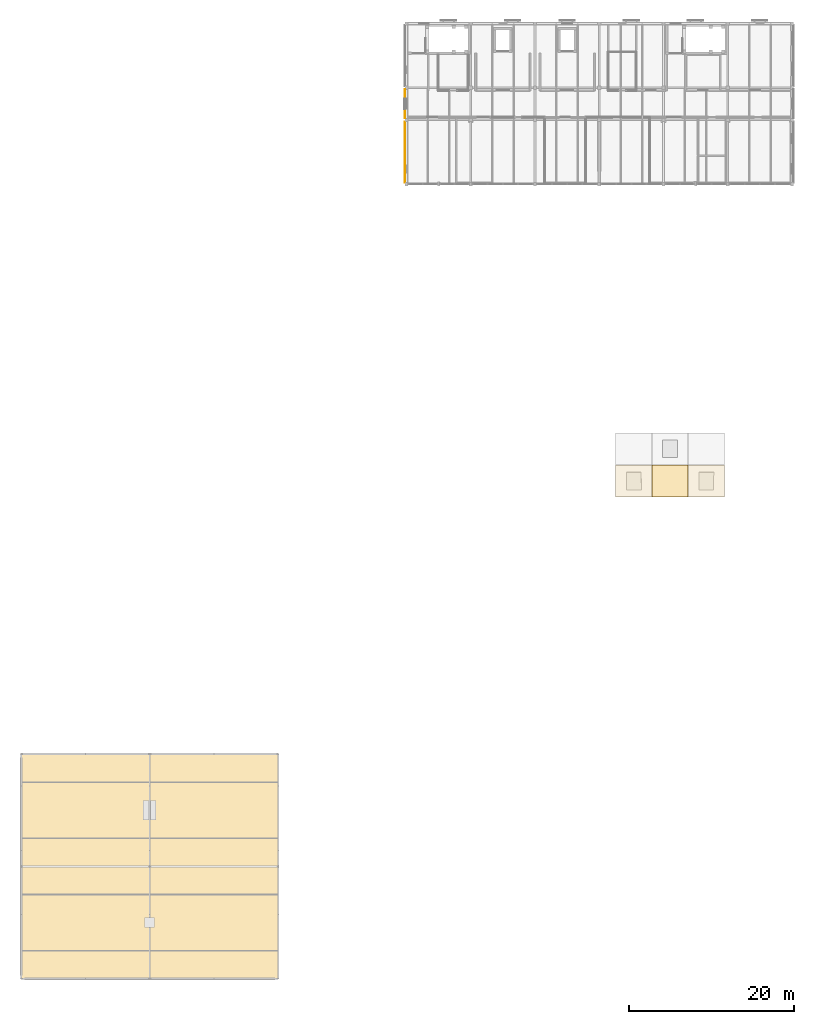
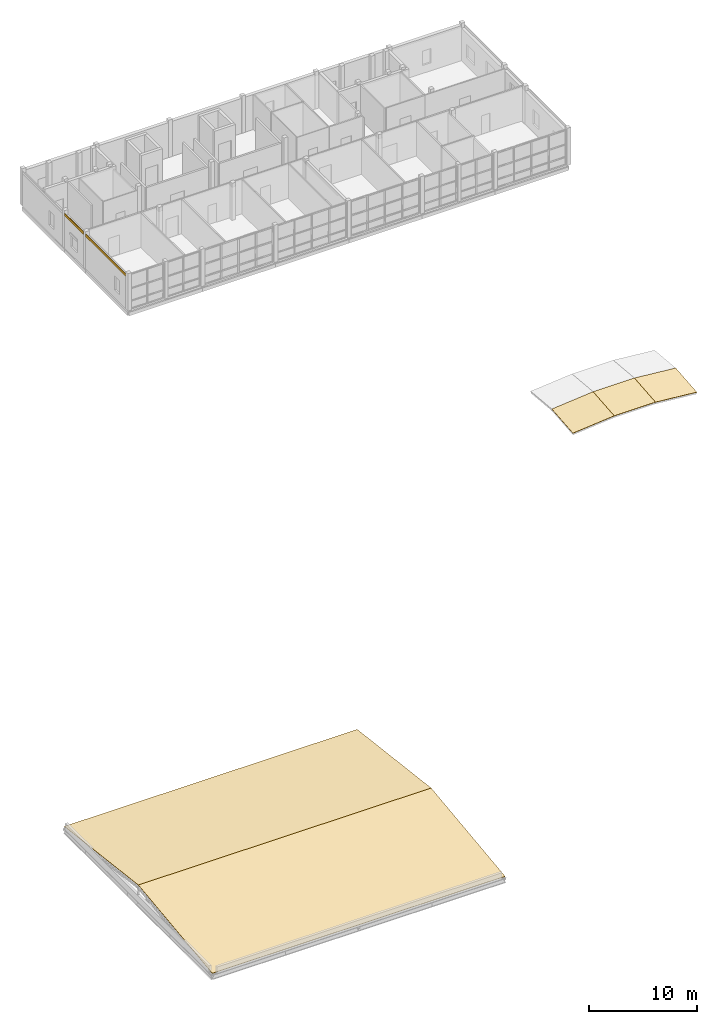
# One storey, part 20 of 21: 7 coverings.
"""IFC4 building model written with IfcOpenShell, lengths in metres."""

from ifc_helpers import new_model, si_unit, direction, frame, origin, origin_2d, place, context, subcontext, project, spatial, polyline, rectangle, outline, extrude, material, layer, layer_set, type_object, element, save


model = new_model("IFC4")

# Units and contexts
model_context = context("Model", 3, precision=1e-05, world=origin(), true_north=direction((0.0, 1.0)))
body_context = subcontext(model_context, "Body", "Model", "MODEL_VIEW")
ifc_project = project(units=[si_unit("LENGTHUNIT", "METRE"), si_unit("AREAUNIT", "SQUARE_METRE"), si_unit("VOLUMEUNIT", "CUBIC_METRE"), si_unit("PLANEANGLEUNIT", "RADIAN"), si_unit("MASSUNIT", "GRAM", prefix="KILO")], contexts=[model_context])

# Site, building, storey
site_placement = place(None, origin())
site = spatial("IfcSite", under=ifc_project, at=site_placement, CompositionType="ELEMENT")
building_placement = place(site_placement, origin())
building = spatial("IfcBuilding", under=site, at=building_placement, Name="Celorna Specialist Clinic", CompositionType="ELEMENT")
storey_placement = place(building_placement, frame((0.0, 0.0, 23.10009765625)))
storey = spatial("IfcBuildingStorey", under=building, at=storey_placement, Name="L05", CompositionType="ELEMENT", Elevation=23.10009765625)

# Coverings
ifc_material_1 = material(Name="Pero Pinheiro Lioz limestone rainscreen cladding", Category="masonry")
ifc_layer_1 = layer(ifc_material_1, 0.044921875, Name="Pero Pinheiro Lioz limestone rainscreen cladding")
ifc_layer_set_1 = layer_set([ifc_layer_1], Name="Pero Pinheiro Lioz limestone rainscreen cladding")
covering_type_1 = type_object("IfcCoveringType", Name="CL-01", PredefinedType="CLADDING", material=ifc_layer_set_1)
covering_1_placement = place(storey_placement, frame((46.632568359375, 100.39990234375, 3.64990234375), z_axis=(0.0, 0.0, 1.0), x_axis=(0.0, 1.0, 0.0)))
element("IfcCovering", 1, at=covering_1_placement, inside=storey, type_object=covering_type_1, Name="Lioz spandrel cladding #292", PredefinedType="CLADDING", context=body_context, shape_type="SweptSolid", body=[
    extrude(rectangle(XDim=7.39990234375, YDim=0.044921875, at=origin_2d()), origin(), (0.0, 0.0, 1.0), 0.2900390625),
])
covering_2_placement = place(storey_placement, frame((46.632568359375, 106.25, 3.64990234375), z_axis=(0.0, 0.0, 1.0), x_axis=(0.0, 1.0, 0.0)))
element("IfcCovering", 2, at=covering_2_placement, inside=storey, type_object=covering_type_1, Name="Lioz spandrel cladding #293", PredefinedType="CLADDING", context=body_context, shape_type="SweptSolid", body=[
    extrude(rectangle(XDim=3.5, YDim=0.044921875, at=origin_2d()), origin(), (0.0, 0.0, 1.0), 0.2900390625),
])
ifc_material_2 = material(Name="Standing-seam zinc and EPDM acoustic roofing membrane")
ifc_layer_2 = layer(ifc_material_2, 0.0400390625, Name="Standing-seam zinc and EPDM acoustic roofing membrane")
ifc_layer_set_2 = layer_set([ifc_layer_2], Name="Standing-seam zinc and EPDM acoustic roofing membrane")
covering_type_2 = type_object("IfcCoveringType", Name="RFG-01", PredefinedType="ROOFING", material=ifc_layer_set_2)
covering_3_placement = place(storey_placement, frame((72.199951171875, 58.5, 0.208251953125), z_axis=(-0.093192994215, -0.090684586702, 0.991509642698), x_axis=(0.995611897961, 0.0, 0.093578569336)))
element("IfcCovering", 3, at=covering_3_placement, inside=storey, type_object=covering_type_2, Name="GSH-V1 gridshell standing-seam roofing 5-4", PredefinedType="ROOFING", context=body_context, shape_type="SweptSolid", body=[
    extrude(outline(polyline([(0.0, 0.0), (4.41953987631884, 0.0), (4.452918365039572, 3.9160377338897128), (0.033378488720732666, 3.9160377338897128), (0.0, 0.0)])), origin(), (0.0, 0.0, -1.0), 0.0400390625),
])
covering_4_placement = place(storey_placement, frame((76.60009765625, 58.5, 0.621826171875), z_axis=(0.0, -0.091080965304, 0.995843490594), x_axis=(1.0, 0.0, 0.0)))
element("IfcCovering", 4, at=covering_4_placement, inside=storey, type_object=covering_type_2, Name="GSH-V1 gridshell standing-seam roofing 6-4", PredefinedType="ROOFING", context=body_context, shape_type="SweptSolid", body=[
    extrude(outline(polyline([(0.0, 0.0), (4.39990234375, 0.0), (4.39990234375, 3.916179982681766), (0.0, 3.916179982681766), (0.0, 0.0)])), origin(), (0.0, 0.0, -1.0), 0.0400390625),
])
covering_5_placement = place(storey_placement, frame((81.0, 58.5, 0.621826171875), z_axis=(0.093198120369, -0.090684543, 0.99150916487), x_axis=(0.995611414177, 0.0, -0.093583716325)))
element("IfcCovering", 5, at=covering_5_placement, inside=storey, type_object=covering_type_2, Name="GSH-V1 gridshell standing-seam roofing 7-4", PredefinedType="ROOFING", context=body_context, shape_type="SweptSolid", body=[
    extrude(outline(polyline([(0.0, 0.0), (4.419296807066869, 6.938893903907228e-18), (4.38591648246938, 3.9160377182411206), (-0.03338032459748851, 3.91603771824112), (0.0, 0.0)])), origin(), (0.0, 0.0, -1.0), 0.0400390625),
])
covering_6_placement = place(storey_placement, frame((0.0, 0.0, 0.119873046875), z_axis=(0.0, -0.121434100375, 0.992599495903), x_axis=(1.0, 0.0, 0.0)))
element("IfcCovering", 6, at=covering_6_placement, inside=storey, type_object=covering_type_2, Name="Standing-seam zinc roofing ROOF-V5-SOUTH", PredefinedType="ROOFING", context=body_context, shape_type="SweptSolid", body=[
    extrude(outline(polyline([(0.0, 0.0), (31.199951171875, 0.0), (31.199951171875, 13.751671646113257), (0.0, 13.751671646113257), (0.0, 0.0)])), origin(), (0.0, 0.0, -1.0), 0.0400390625),
])
covering_7_placement = place(storey_placement, frame((0.0, 13.64990234375, 1.789794921875), z_axis=(0.0, 0.121431960484, 0.992599757693), x_axis=(1.0, 0.0, 0.0)))
element("IfcCovering", 7, at=covering_7_placement, inside=storey, type_object=covering_type_2, Name="Standing-seam zinc roofing ROOF-V5-NORTH", PredefinedType="ROOFING", context=body_context, shape_type="SweptSolid", body=[
    extrude(outline(polyline([(0.0, 0.0), (31.199951171875, 0.0), (31.199951171875, 13.751913980006519), (0.0, 13.751913980006519), (0.0, 0.0)])), origin(), (0.0, 0.0, -1.0), 0.0400390625),
])

save(model, "model.ifc")
